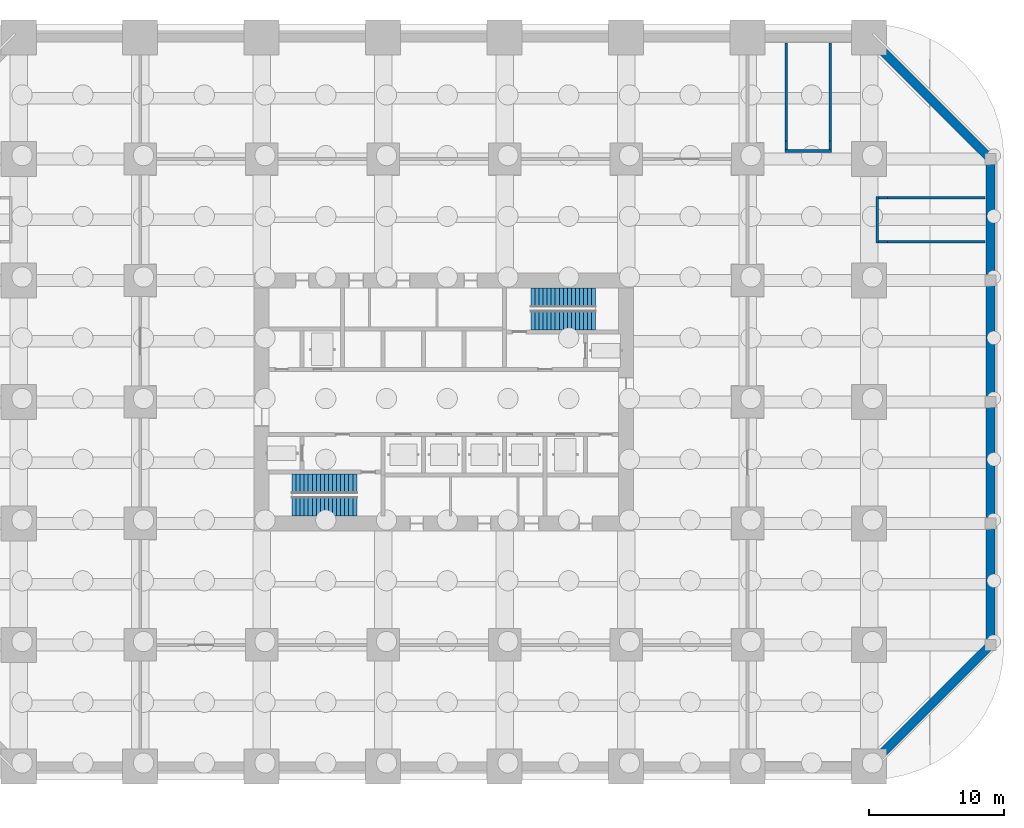
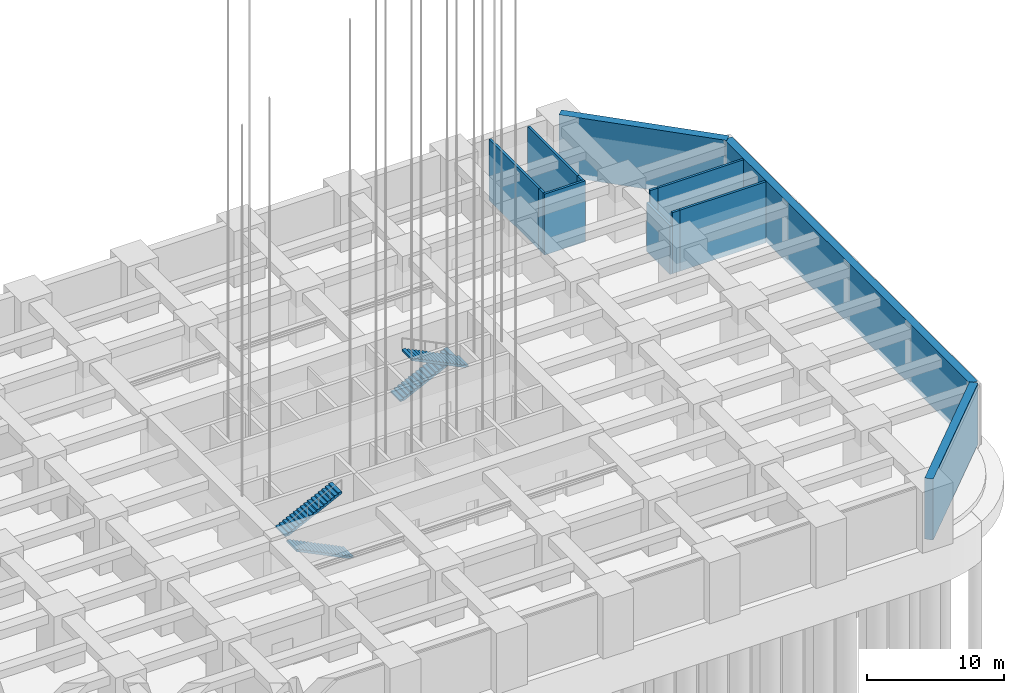
# One storey, part 6 of 24: 13 walls, 4 stair flights, 2 elements without a shape of their own.
"""IFC4 building model written with IfcOpenShell, lengths in metres."""

from ifc_helpers import new_model, si_unit, direction, frame, frame_2d, origin, place, context, subcontext, project, spatial, polyline, rectangle, outline, extrude, material, layer, layer_set, type_object, element, aggregate, save


model = new_model("IFC4")

# Units and contexts
model_context = context("Model", 3, precision=1e-05, world=origin(), true_north=direction((0.0, 1.0)))
body_context = subcontext(model_context, "Body", "Model", "MODEL_VIEW")
ifc_project = project(units=[si_unit("LENGTHUNIT", "METRE"), si_unit("AREAUNIT", "SQUARE_METRE"), si_unit("VOLUMEUNIT", "CUBIC_METRE"), si_unit("PLANEANGLEUNIT", "RADIAN"), si_unit("MASSUNIT", "GRAM", prefix="KILO")], contexts=[model_context])

# Site, building, storey
site_placement = place(None, origin())
site = spatial("IfcSite", under=ifc_project, at=site_placement, CompositionType="ELEMENT")
building_placement = place(site_placement, origin())
building = spatial("IfcBuilding", under=site, at=building_placement, Name="Zorevar Civic Tower", CompositionType="ELEMENT")
storey_placement = place(building_placement, frame((0.0, 0.0, -5.0)))
storey = spatial("IfcBuildingStorey", under=building, at=storey_placement, Name="B1", CompositionType="ELEMENT", Elevation=-5.0)

# Walls
ifc_material_1 = material(Name="Concrete blockwork", Category="masonry")
ifc_layer_1 = layer(ifc_material_1, 0.199951171875)
ifc_layer_set_1 = layer_set([ifc_layer_1], Name="Blockwork wall 200")
wall_type_1 = type_object("IfcWallType", Name="Blockwork wall 200", PredefinedType="SOLIDWALL", material=ifc_layer_set_1)
for number, where, z_axis, x_axis, name in (
    (1, (64.35009765625, 42.125, -0.449951171875), (0.0, 0.0, 1.0), (-1.0, 0.0, 0.0), "Escape stair PS2 enclosure B1"),
    (2, (64.35009765625, 38.875, -0.449951171875), (0.0, 0.0, 1.0), (-1.0, 0.0, 0.0), "Escape stair PS2 enclosure B1"),
):
    element("IfcWall", number, at=place(storey_placement, frame(where, z_axis=z_axis, x_axis=x_axis)), inside=storey, type_object=wall_type_1, Name=name, PredefinedType="SOLIDWALL", context=body_context, shape_type="SweptSolid", body=[
        extrude(rectangle(XDim=0.650146484375, YDim=0.199951171875, at=frame_2d((0.3251953125, 0.0))), origin(), (0.0, 0.0, 1.0), 5.449951171875),
    ])
wall_1_placement = place(storey_placement, frame((63.60009765625, 42.22509765625, -0.449951171875), z_axis=(0.0, 0.0, 1.0), x_axis=(0.0, -1.0, 0.0)))
element("IfcWall", 3, at=wall_1_placement, inside=storey, type_object=wall_type_1, Name="Escape stair PS2 enclosure B1", PredefinedType="SOLIDWALL", context=body_context, shape_type="SweptSolid", body=[
    extrude(rectangle(XDim=3.4501953125, YDim=0.199951171875, at=frame_2d((1.72509765625, 0.0))), origin(), (0.0, 0.0, 1.0), 4.349853515625),
])
for number, where, z_axis, x_axis, name in (
    (4, (56.875, 46.35009765625, -0.449951171875), (0.0, 0.0, 1.0), (0.0, -1.0, 0.0), "Escape stair PS3 enclosure B1"),
    (5, (60.125, 46.35009765625, -0.449951171875), (0.0, 0.0, 1.0), (0.0, -1.0, 0.0), "Escape stair PS3 enclosure B1"),
):
    element("IfcWall", number, at=place(storey_placement, frame(where, z_axis=z_axis, x_axis=x_axis)), inside=storey, type_object=wall_type_1, Name=name, PredefinedType="SOLIDWALL", context=body_context, shape_type="SweptSolid", body=[
        extrude(rectangle(XDim=0.650146484375, YDim=0.199951171875, at=frame_2d((0.3251953125, 0.0))), origin(), (0.0, 0.0, 1.0), 5.449951171875),
    ])
wall_2_placement = place(storey_placement, frame((56.77490234375, 45.60009765625, -0.449951171875), z_axis=(0.0, 0.0, 1.0), x_axis=(1.0, 0.0, 0.0)))
element("IfcWall", 6, at=wall_2_placement, inside=storey, type_object=wall_type_1, Name="Escape stair PS3 enclosure B1", PredefinedType="SOLIDWALL", context=body_context, shape_type="SweptSolid", body=[
    extrude(rectangle(XDim=3.4501953125, YDim=0.199951171875, at=frame_2d((1.72509765625, 0.0))), origin(), (0.0, 0.0, 1.0), 5.449951171875),
])
ifc_material_2 = material(Name="Concrete C40/50", Category="concrete")
ifc_layer_2 = layer(ifc_material_2, 0.64990234375)
ifc_layer_set_2 = layer_set([ifc_layer_2], Name="Retaining wall 650")
wall_type_2 = type_object("IfcWallType", Name="Retaining wall 650", PredefinedType="SOLIDWALL", material=ifc_layer_set_2)
wall_3_placement = place(storey_placement, frame((72.0, 9.0, -0.449951171875), z_axis=(0.0, 0.0, 1.0), x_axis=(0.0, 1.0, 0.0)))
element("IfcWall", 7, at=wall_3_placement, inside=storey, type_object=wall_type_2, Name="Retaining wall 2", PredefinedType="SOLIDWALL", context=body_context, shape_type="SweptSolid", body=[
    extrude(rectangle(XDim=36.0, YDim=0.64990234375, at=frame_2d((18.0, 0.0))), origin(), (0.0, 0.0, 1.0), 5.449951171875),
])
for number, where, z_axis, x_axis, name in (
    (8, (63.0, 0.0, -0.449951171875), (0.0, 0.0, 1.0), (0.707106781187, 0.707106781187, 0.0), "Retaining wall 5"),
    (9, (72.0, 45.0, -0.449951171875), (0.0, 0.0, 1.0), (-0.707106781187, 0.707106781187, 0.0), "Retaining wall 6"),
):
    element("IfcWall", number, at=place(storey_placement, frame(where, z_axis=z_axis, x_axis=x_axis)), inside=storey, type_object=wall_type_2, Name=name, PredefinedType="SOLIDWALL", context=body_context, shape_type="SweptSolid", body=[
        extrude(rectangle(XDim=12.72802734375, YDim=0.64990234375, at=frame_2d((6.364013671875, 0.0))), origin(), (0.0, 0.0, 1.0), 5.449951171875),
    ])
ifc_material_3 = material(Name="Concrete C30/37", Category="concrete")
ifc_layer_3 = layer(ifc_material_3, 0.199951171875)
ifc_layer_set_3 = layer_set([ifc_layer_3], Name="Stair enclosure wall 200")
wall_type_3 = type_object("IfcWallType", Name="Stair enclosure wall 200", PredefinedType="SOLIDWALL", material=ifc_layer_set_3)
for number, where, z_axis, x_axis, name in (
    (10, (71.610107421875, 42.125, -0.449951171875), (0.0, 0.0, 1.0), (-1.0, 0.0, 0.0), "Escape stair PS2 enclosure B1"),
    (11, (71.610107421875, 38.875, -0.449951171875), (0.0, 0.0, 1.0), (-1.0, 0.0, 0.0), "Escape stair PS2 enclosure B1"),
    (12, (56.875, 53.610107421875, -0.449951171875), (0.0, 0.0, 1.0), (0.0, -1.0, 0.0), "Escape stair PS3 enclosure B1"),
    (13, (60.125, 53.610107421875, -0.449951171875), (0.0, 0.0, 1.0), (0.0, -1.0, 0.0), "Escape stair PS3 enclosure B1"),
):
    element("IfcWall", number, at=place(storey_placement, frame(where, z_axis=z_axis, x_axis=x_axis)), inside=storey, type_object=wall_type_3, Name=name, PredefinedType="SOLIDWALL", context=body_context, shape_type="SweptSolid", body=[
        extrude(rectangle(XDim=7.260009765625, YDim=0.199951171875, at=frame_2d((3.6298828125, 0.0))), origin(), (0.0, 0.0, 1.0), 5.449951171875),
    ])

# Stair, stair flights
ifc_material_4 = material(Name="Precast concrete C40/50", Category="concrete")
stair_type = type_object("IfcStairType", Name="Stair ST 34R", PredefinedType="HALF_TURN_STAIR", material=ifc_material_4)
stair_1_placement = place(storey_placement, origin())
stair_1 = element("IfcStair", 14, at=stair_1_placement, inside=storey, type_object=stair_type, Name="Stair ST1 B1", PredefinedType="HALF_TURN_STAIR")
ifc_material_5 = material(Name="Precast concrete C40/50", Category="concrete")
stair_flight_type = type_object("IfcStairFlightType", Name="Stair flight", PredefinedType="STRAIGHT", material=ifc_material_5)
stair_flight_1_placement = place(storey_placement, frame((25.050048828125, 19.262451171875, 0.0), z_axis=(0.0, 0.0, 1.0), x_axis=(-1.0, 0.0, 0.0)))
stair_flight_1 = element("IfcStairFlight", 15, at=stair_flight_1_placement, type_object=stair_flight_type, Name="ST1 flight 1", NumberOfRisers=17, NumberOfTreads=16, PredefinedType="STRAIGHT", RiserHeight=0.147058824, TreadLength=0.3, context=body_context, shape_type="SweptSolid", body=[
    extrude(outline(polyline([(0.0, 0.0), (0.0, 0.14697265625), (0.300048828125, 0.14697265625), (0.300048828125, 0.294189453125), (0.60009765625, 0.294189453125), (0.60009765625, 0.441162109375), (0.89990234375, 0.441162109375), (0.89990234375, 0.588134765625), (1.199951171875, 0.588134765625), (1.199951171875, 0.7353515625), (1.5, 0.7353515625), (1.5, 0.88232421875), (1.800048828125, 0.88232421875), (1.800048828125, 1.029296875), (2.10009765625, 1.029296875), (2.10009765625, 1.176513671875), (2.39990234375, 1.176513671875), (2.39990234375, 1.323486328125), (2.699951171875, 1.323486328125), (2.699951171875, 1.470703125), (3.0, 1.470703125), (3.0, 1.61767578125), (3.300048828125, 1.61767578125), (3.300048828125, 1.7646484375), (3.60009765625, 1.7646484375), (3.60009765625, 1.911865234375), (3.89990234375, 1.911865234375), (3.89990234375, 2.058837890625), (4.199951171875, 2.058837890625), (4.199951171875, 2.205810546875), (4.5, 2.205810546875), (4.5, 2.35302734375), (4.800048828125, 2.35302734375), (4.800048828125, 2.5), (4.800048828125, 2.18603515625), (0.340576171875, 0.0), (0.0, 0.0)])), frame((0.0, 0.71240234375, 0.0), z_axis=(0.0, -1.0, 0.0), x_axis=(1.0, 0.0, 0.0)), (0.0, 0.0, 1.0), 1.425048828125),
])
stair_flight_2_placement = place(storey_placement, frame((20.25, 20.9375, 2.5), z_axis=(0.0, 0.0, 1.0), x_axis=(1.0, 0.0, 0.0)))
stair_flight_2 = element("IfcStairFlight", 16, at=stair_flight_2_placement, type_object=stair_flight_type, Name="ST1 flight 2", NumberOfRisers=17, NumberOfTreads=16, PredefinedType="STRAIGHT", RiserHeight=0.147058824, TreadLength=0.3, context=body_context, shape_type="SweptSolid", body=[
    extrude(outline(polyline([(0.0, 0.0), (0.0, 0.14697265625), (0.300048828125, 0.14697265625), (0.300048828125, 0.294189453125), (0.60009765625, 0.294189453125), (0.60009765625, 0.441162109375), (0.89990234375, 0.441162109375), (0.89990234375, 0.588134765625), (1.199951171875, 0.588134765625), (1.199951171875, 0.7353515625), (1.5, 0.7353515625), (1.5, 0.88232421875), (1.800048828125, 0.88232421875), (1.800048828125, 1.029296875), (2.10009765625, 1.029296875), (2.10009765625, 1.176513671875), (2.39990234375, 1.176513671875), (2.39990234375, 1.323486328125), (2.699951171875, 1.323486328125), (2.699951171875, 1.470703125), (3.0, 1.470703125), (3.0, 1.61767578125), (3.300048828125, 1.61767578125), (3.300048828125, 1.7646484375), (3.60009765625, 1.7646484375), (3.60009765625, 1.911865234375), (3.89990234375, 1.911865234375), (3.89990234375, 2.058837890625), (4.199951171875, 2.058837890625), (4.199951171875, 2.205810546875), (4.5, 2.205810546875), (4.5, 2.35302734375), (4.800048828125, 2.35302734375), (4.800048828125, 2.5), (4.800048828125, 2.18603515625), (0.340576171875, 0.0), (0.0, 0.0)])), frame((0.0, 0.71240234375, 0.0), z_axis=(0.0, -1.0, 0.0), x_axis=(1.0, 0.0, 0.0)), (0.0, 0.0, 1.0), 1.425048828125),
])
aggregate(stair_1, [stair_flight_1, stair_flight_2])

stair_2_placement = place(storey_placement, origin())
stair_2 = element("IfcStair", 17, at=stair_2_placement, inside=storey, type_object=stair_type, Name="Stair ST2 B1", PredefinedType="HALF_TURN_STAIR")
stair_flight_3_placement = place(storey_placement, frame((37.949951171875, 34.737548828125, 0.0), z_axis=(0.0, 0.0, 1.0), x_axis=(1.0, 0.0, 0.0)))
stair_flight_3 = element("IfcStairFlight", 18, at=stair_flight_3_placement, type_object=stair_flight_type, Name="ST2 flight 1", NumberOfRisers=17, NumberOfTreads=16, PredefinedType="STRAIGHT", RiserHeight=0.147058824, TreadLength=0.3, context=body_context, shape_type="SweptSolid", body=[
    extrude(outline(polyline([(0.0, 0.0), (0.0, 0.14697265625), (0.300048828125, 0.14697265625), (0.300048828125, 0.294189453125), (0.60009765625, 0.294189453125), (0.60009765625, 0.441162109375), (0.89990234375, 0.441162109375), (0.89990234375, 0.588134765625), (1.199951171875, 0.588134765625), (1.199951171875, 0.7353515625), (1.5, 0.7353515625), (1.5, 0.88232421875), (1.800048828125, 0.88232421875), (1.800048828125, 1.029296875), (2.10009765625, 1.029296875), (2.10009765625, 1.176513671875), (2.39990234375, 1.176513671875), (2.39990234375, 1.323486328125), (2.699951171875, 1.323486328125), (2.699951171875, 1.470703125), (3.0, 1.470703125), (3.0, 1.61767578125), (3.300048828125, 1.61767578125), (3.300048828125, 1.7646484375), (3.60009765625, 1.7646484375), (3.60009765625, 1.911865234375), (3.89990234375, 1.911865234375), (3.89990234375, 2.058837890625), (4.199951171875, 2.058837890625), (4.199951171875, 2.205810546875), (4.5, 2.205810546875), (4.5, 2.35302734375), (4.800048828125, 2.35302734375), (4.800048828125, 2.5), (4.800048828125, 2.18603515625), (0.340576171875, 0.0), (0.0, 0.0)])), frame((0.0, 0.71240234375, 0.0), z_axis=(0.0, -1.0, 0.0), x_axis=(1.0, 0.0, 0.0)), (0.0, 0.0, 1.0), 1.425048828125),
])
stair_flight_4_placement = place(storey_placement, frame((42.75, 33.0625, 2.5), z_axis=(0.0, 0.0, 1.0), x_axis=(-1.0, 0.0, 0.0)))
stair_flight_4 = element("IfcStairFlight", 19, at=stair_flight_4_placement, type_object=stair_flight_type, Name="ST2 flight 2", NumberOfRisers=17, NumberOfTreads=16, PredefinedType="STRAIGHT", RiserHeight=0.147058824, TreadLength=0.3, context=body_context, shape_type="SweptSolid", body=[
    extrude(outline(polyline([(0.0, 0.0), (0.0, 0.14697265625), (0.300048828125, 0.14697265625), (0.300048828125, 0.294189453125), (0.60009765625, 0.294189453125), (0.60009765625, 0.441162109375), (0.89990234375, 0.441162109375), (0.89990234375, 0.588134765625), (1.199951171875, 0.588134765625), (1.199951171875, 0.7353515625), (1.5, 0.7353515625), (1.5, 0.88232421875), (1.800048828125, 0.88232421875), (1.800048828125, 1.029296875), (2.10009765625, 1.029296875), (2.10009765625, 1.176513671875), (2.39990234375, 1.176513671875), (2.39990234375, 1.323486328125), (2.699951171875, 1.323486328125), (2.699951171875, 1.470703125), (3.0, 1.470703125), (3.0, 1.61767578125), (3.300048828125, 1.61767578125), (3.300048828125, 1.7646484375), (3.60009765625, 1.7646484375), (3.60009765625, 1.911865234375), (3.89990234375, 1.911865234375), (3.89990234375, 2.058837890625), (4.199951171875, 2.058837890625), (4.199951171875, 2.205810546875), (4.5, 2.205810546875), (4.5, 2.35302734375), (4.800048828125, 2.35302734375), (4.800048828125, 2.5), (4.800048828125, 2.18603515625), (0.340576171875, 0.0), (0.0, 0.0)])), frame((0.0, 0.71240234375, 0.0), z_axis=(0.0, -1.0, 0.0), x_axis=(1.0, 0.0, 0.0)), (0.0, 0.0, 1.0), 1.425048828125),
])
aggregate(stair_2, [stair_flight_3, stair_flight_4])

save(model, "model.ifc")
